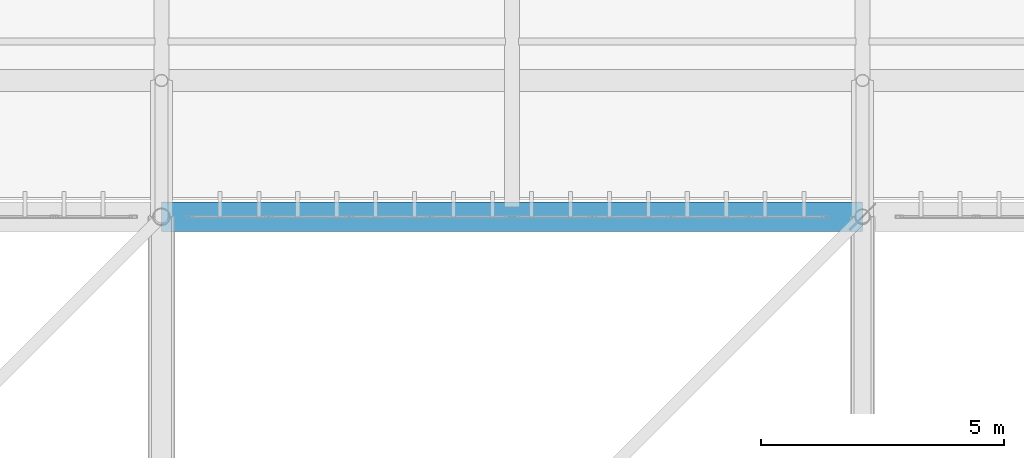
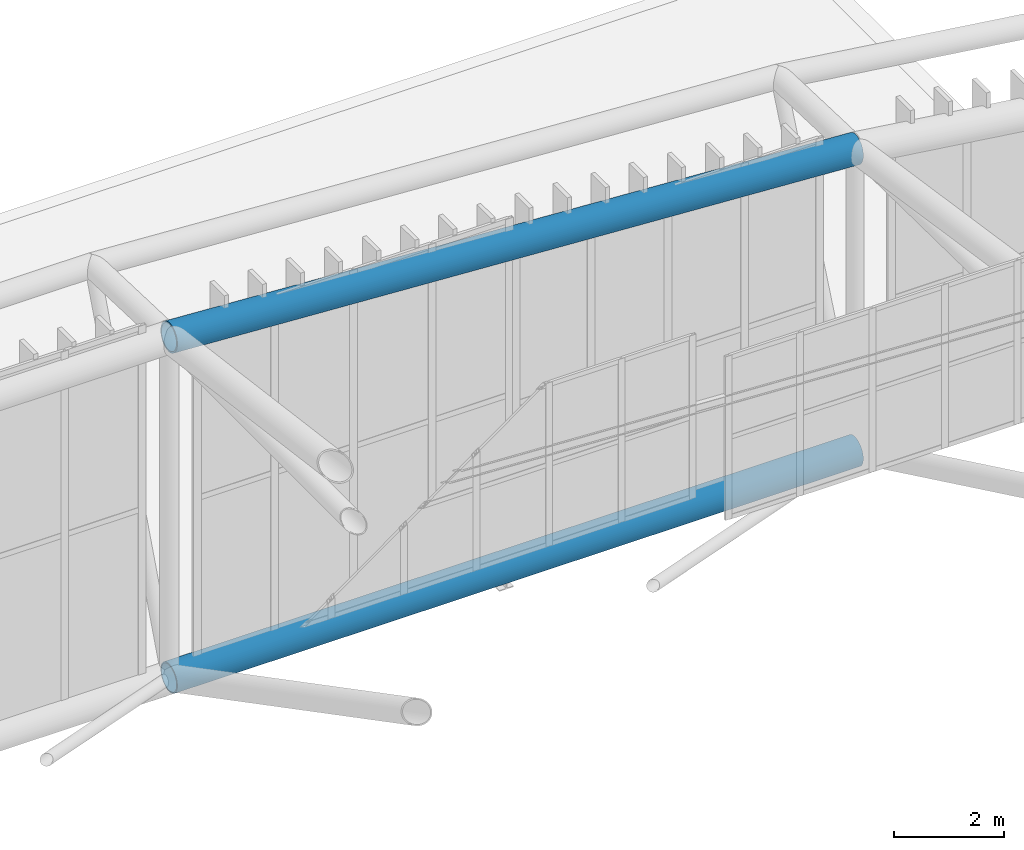
# One storey, part 326 of 397: 2 beams.
"""IFC4 building model written with IfcOpenShell, lengths in metres."""

from ifc_helpers import new_model, si_unit, direction, frame, origin, origin_2d, place, context, subcontext, project, spatial, hollow_circle, extrude, material, material_profile, profile_set, type_object, element, save


model = new_model("IFC4")

# Units and contexts
model_context = context("Model", 3, precision=1e-05, world=origin(), true_north=direction((0.0, 1.0)))
body_context = subcontext(model_context, "Body", "Model", "MODEL_VIEW")
ifc_project = project(units=[si_unit("LENGTHUNIT", "METRE"), si_unit("AREAUNIT", "SQUARE_METRE"), si_unit("VOLUMEUNIT", "CUBIC_METRE"), si_unit("PLANEANGLEUNIT", "RADIAN"), si_unit("MASSUNIT", "GRAM", prefix="KILO")], contexts=[model_context])

# Site, building, storey
site_placement = place(None, origin())
site = spatial("IfcSite", under=ifc_project, at=site_placement, CompositionType="ELEMENT")
building_placement = place(site_placement, origin())
building = spatial("IfcBuilding", under=site, at=building_placement, Name="Qandorah Velis Arena", CompositionType="ELEMENT")
storey_placement = place(building_placement, frame((0.0, 0.0, 27.5)))
storey = spatial("IfcBuildingStorey", under=building, at=storey_placement, Name="RF", CompositionType="ELEMENT", Elevation=27.5)

# Beams
ifc_material = material(Name="Steel S460", Category="steel")
ifc_material_profile_1 = material_profile(ifc_material, hollow_circle(Radius=0.304931640625, WallThickness=0.02490234375, at=origin_2d()), Name="CHS 610x25")
ifc_profile_set_1 = profile_set([ifc_material_profile_1], Name="Steel S460")
beam_type_1 = type_object("IfcBeamType", Name="STR-SFC-CHS610X25", PredefinedType="USERDEFINED", material=ifc_profile_set_1)
beam_1_placement = place(storey_placement, frame((72.0, 115.199951171875, 0.10009765625), z_axis=(1.0, 0.0, 0.0), x_axis=(0.0, 1.0, 0.0)))
element("IfcBeam", 1, at=beam_1_placement, inside=storey, type_object=beam_type_1, Name="Space frame roof truss bottom chord X 4.7", ObjectType="ROOF TRUSS", PredefinedType="USERDEFINED", context=body_context, shape_type="SweptSolid", body=[
    extrude(hollow_circle(Radius=0.304931640625, WallThickness=0.02490234375, at=origin_2d()), origin(), (0.0, 0.0, 1.0), 14.39990234375),
])
ifc_material_profile_2 = material_profile(ifc_material, hollow_circle(Radius=0.304931640625, WallThickness=0.031982421875, at=origin_2d()), Name="CHS 610x32")
ifc_profile_set_2 = profile_set([ifc_material_profile_2], Name="Steel S460")
beam_type_2 = type_object("IfcBeamType", Name="STR-SFC-CHS610X32", PredefinedType="USERDEFINED", material=ifc_profile_set_2)
beam_2_placement = place(storey_placement, frame((72.0, 115.199951171875, 7.65576171875), z_axis=(0.99823599483, 0.0, -0.0593708567), x_axis=(0.0, 1.0, 0.0)))
element("IfcBeam", 2, at=beam_2_placement, inside=storey, type_object=beam_type_2, Name="Space frame roof truss top chord X 4.7", ObjectType="ROOF TRUSS", PredefinedType="USERDEFINED", context=body_context, shape_type="SweptSolid", body=[
    extrude(hollow_circle(Radius=0.304931640625, WallThickness=0.031982421875, at=origin_2d()), origin(), (0.0, 0.0, 1.0), 14.42529296875),
])

save(model, "model.ifc")
